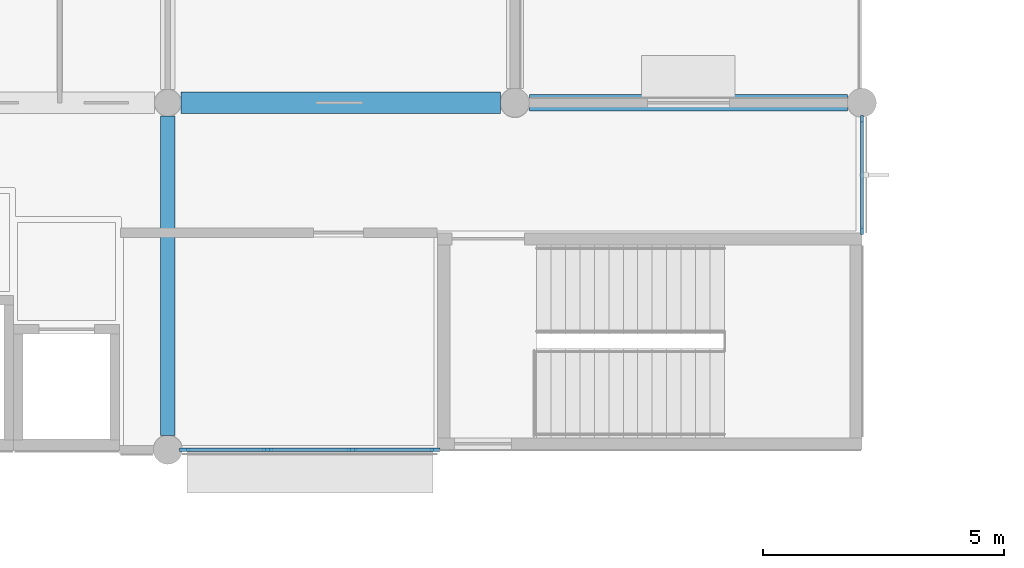
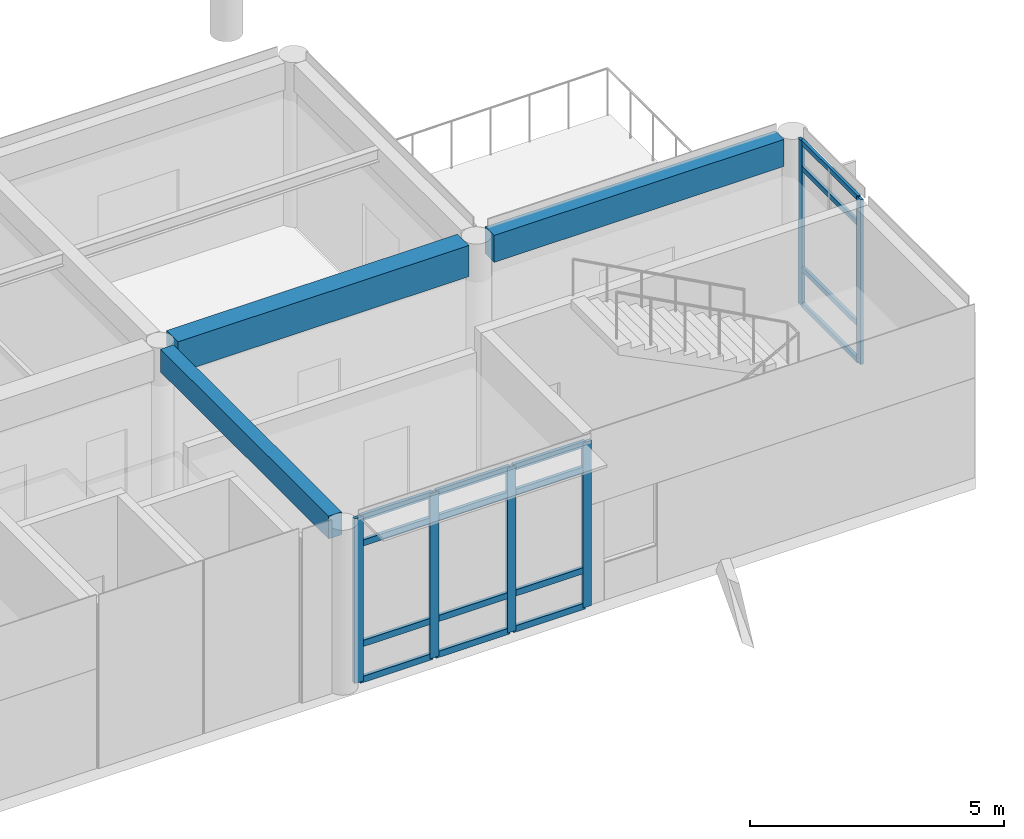
# One storey, part 10 of 37: 22 members, 3 beams, 2 elements without a shape of their own.
"""IFC4 building model written with IfcOpenShell, lengths in metres."""

from ifc_helpers import new_model, si_unit, direction, frame, origin, origin_2d, place, context, subcontext, project, spatial, rectangle, extrude, material, layer, layer_set, material_profile, profile_set, type_object, element, aggregate, save


model = new_model("IFC4")

# Units and contexts
model_context = context("Model", 3, precision=1e-05, world=origin(), true_north=direction((0.0, 1.0)))
body_context = subcontext(model_context, "Body", "Model", "MODEL_VIEW")
ifc_project = project(units=[si_unit("LENGTHUNIT", "METRE"), si_unit("AREAUNIT", "SQUARE_METRE"), si_unit("VOLUMEUNIT", "CUBIC_METRE"), si_unit("PLANEANGLEUNIT", "RADIAN"), si_unit("MASSUNIT", "GRAM", prefix="KILO")], contexts=[model_context])

# Site, building, storey
site_placement = place(None, origin())
site = spatial("IfcSite", under=ifc_project, at=site_placement, CompositionType="ELEMENT")
building_placement = place(site_placement, origin())
building = spatial("IfcBuilding", under=site, at=building_placement, Name="Namkhue Oval Health Centre", CompositionType="ELEMENT")
storey_placement = place(building_placement, frame((0.0, 0.0, 22.199951171875)))
storey = spatial("IfcBuildingStorey", under=building, at=storey_placement, Name="L05", CompositionType="ELEMENT", Elevation=22.199951171875)

# Curtain wall, members
ifc_material_1 = material(Name="Anodised aluminium EN AW-6063 T6", Category="aluminium")
ifc_layer_1 = layer(ifc_material_1, 0.159912109375)
ifc_layer_set_1 = layer_set([ifc_layer_1], Name="Anodised aluminium EN AW-6063 T6")
curtain_wall_type_1 = type_object("IfcCurtainWallType", Name="UNITISED CURTAIN WALL M1800", PredefinedType="NOTDEFINED", material=ifc_layer_set_1)
curtain_wall_1_placement = place(storey_placement, origin())
curtain_wall_1 = element("IfcCurtainWall", 1, at=curtain_wall_1_placement, inside=storey, type_object=curtain_wall_type_1, Name="Volume V3 L05 Unitised Curtain Wall 131", PredefinedType="NOTDEFINED")
ifc_material_profile_1 = material_profile(ifc_material_1, rectangle(XDim=0.06494140625, YDim=0.159912109375, at=origin_2d()), Name="ALU 65x160")
ifc_profile_set_1 = profile_set([ifc_material_profile_1], Name="Anodised aluminium EN AW-6063 T6")
member_type_1 = type_object("IfcMemberType", Name="CURTAIN WALL MULLION 65X160", PredefinedType="MULLION", material=ifc_profile_set_1)
member_1_placement = place(storey_placement, frame((122.39990234375, 94.549560546875, 0.0), z_axis=(0.0, 0.0, 1.0), x_axis=(-1.0, 0.0, 0.0)))
member_1 = element("IfcMember", 2, at=member_1_placement, type_object=member_type_1, Name="CW-05 mullion 1", PredefinedType="MULLION", context=body_context, shape_type="SweptSolid", body=[
    extrude(rectangle(XDim=0.06494140625, YDim=0.159912109375, at=origin_2d()), origin(), (0.0, 0.0, 1.0), 3.969970703125),
])
member_2_placement = place(storey_placement, frame((122.39990234375, 96.857421875, 0.0), z_axis=(0.0, 0.0, 1.0), x_axis=(-1.0, 0.0, 0.0)))
member_2 = element("IfcMember", 3, at=member_2_placement, type_object=member_type_1, Name="CW-05 mullion 2", PredefinedType="MULLION", context=body_context, shape_type="SweptSolid", body=[
    extrude(rectangle(XDim=0.06494140625, YDim=0.159912109375, at=origin_2d()), origin(), (0.0, 0.0, 1.0), 3.969970703125),
])

ifc_layer_2 = layer(ifc_material_1, 0.159912109375)
ifc_layer_set_2 = layer_set([ifc_layer_2], Name="Anodised aluminium EN AW-6063 T6")
curtain_wall_type_2 = type_object("IfcCurtainWallType", Name="UNITISED CURTAIN WALL M1600", PredefinedType="NOTDEFINED", material=ifc_layer_set_2)
curtain_wall_2_placement = place(storey_placement, origin())
curtain_wall_2 = element("IfcCurtainWall", 4, at=curtain_wall_2_placement, inside=storey, type_object=curtain_wall_type_2, Name="Volume V3 L05 Unitised Curtain Wall 130", PredefinedType="NOTDEFINED")
ifc_material_profile_2 = material_profile(ifc_material_1, rectangle(XDim=0.074951171875, YDim=0.199951171875, at=origin_2d()), Name="ALU 75x200")
ifc_profile_set_2 = profile_set([ifc_material_profile_2], Name="Anodised aluminium EN AW-6063 T6")
member_type_2 = type_object("IfcMemberType", Name="CURTAIN WALL MULLION 75X200", PredefinedType="MULLION", material=ifc_profile_set_2)
member_3_placement = place(storey_placement, frame((108.347412109375, 90.0, 0.0), z_axis=(0.0, 0.0, 1.0), x_axis=(0.0, 1.0, 0.0)))
member_3 = element("IfcMember", 5, at=member_3_placement, type_object=member_type_2, Name="CW-04 mullion 1", PredefinedType="MULLION", context=body_context, shape_type="SweptSolid", body=[
    extrude(rectangle(XDim=0.074951171875, YDim=0.199951171875, at=origin_2d()), origin(), (0.0, 0.0, 1.0), 3.969970703125),
])
member_4_placement = place(storey_placement, frame((110.067626953125, 90.0, 0.0), z_axis=(0.0, 0.0, 1.0), x_axis=(0.0, 1.0, 0.0)))
member_4 = element("IfcMember", 6, at=member_4_placement, type_object=member_type_2, Name="CW-04 mullion 2", PredefinedType="MULLION", context=body_context, shape_type="SweptSolid", body=[
    extrude(rectangle(XDim=0.074951171875, YDim=0.199951171875, at=origin_2d()), origin(), (0.0, 0.0, 1.0), 3.969970703125),
])
member_5_placement = place(storey_placement, frame((111.825439453125, 90.0, 0.0), z_axis=(0.0, 0.0, 1.0), x_axis=(0.0, 1.0, 0.0)))
member_5 = element("IfcMember", 7, at=member_5_placement, type_object=member_type_2, Name="CW-04 mullion 3", PredefinedType="MULLION", context=body_context, shape_type="SweptSolid", body=[
    extrude(rectangle(XDim=0.074951171875, YDim=0.199951171875, at=origin_2d()), origin(), (0.0, 0.0, 1.0), 3.969970703125),
])
member_6_placement = place(storey_placement, frame((113.54541015625, 90.0, 0.0), z_axis=(0.0, 0.0, 1.0), x_axis=(0.0, 1.0, 0.0)))
member_6 = element("IfcMember", 8, at=member_6_placement, type_object=member_type_2, Name="CW-04 mullion 4", PredefinedType="MULLION", context=body_context, shape_type="SweptSolid", body=[
    extrude(rectangle(XDim=0.074951171875, YDim=0.199951171875, at=origin_2d()), origin(), (0.0, 0.0, 1.0), 3.969970703125),
])

# Member
ifc_material_profile_3 = material_profile(ifc_material_1, rectangle(XDim=0.06494140625, YDim=0.1201171875, at=origin_2d()), Name="ALU 65x120")
ifc_profile_set_3 = profile_set([ifc_material_profile_3], Name="Anodised aluminium EN AW-6063 T6")
member_type_3 = type_object("IfcMemberType", Name="CURTAIN WALL TRANSOM 65X120", PredefinedType="USERDEFINED", material=ifc_profile_set_3)
member_7_placement = place(storey_placement, frame((122.39990234375, 94.58203125, 0.032470703125), z_axis=(0.0, 1.0, 0.0), x_axis=(-1.0, 0.0, 0.0)))
member_7 = element("IfcMember", 9, at=member_7_placement, type_object=member_type_3, Name="CW-05 transom 1.1", ObjectType="TRANSOM", PredefinedType="USERDEFINED", context=body_context, shape_type="SweptSolid", body=[
    extrude(rectangle(XDim=0.06494140625, YDim=0.1201171875, at=origin_2d()), origin(), (0.0, 0.0, 1.0), 2.242919921875),
])

member_8_placement = place(storey_placement, frame((122.39990234375, 94.58203125, 0.900146484375), z_axis=(0.0, 1.0, 0.0), x_axis=(-1.0, 0.0, 0.0)))
member_8 = element("IfcMember", 10, at=member_8_placement, type_object=member_type_3, Name="CW-05 transom 1.2", ObjectType="TRANSOM", PredefinedType="USERDEFINED", context=body_context, shape_type="SweptSolid", body=[
    extrude(rectangle(XDim=0.06494140625, YDim=0.1201171875, at=origin_2d()), origin(), (0.0, 0.0, 1.0), 2.242919921875),
])

member_9_placement = place(storey_placement, frame((122.39990234375, 94.58203125, 3.320068359375), z_axis=(0.0, 1.0, 0.0), x_axis=(-1.0, 0.0, 0.0)))
member_9 = element("IfcMember", 11, at=member_9_placement, type_object=member_type_3, Name="CW-05 transom 1.3", ObjectType="TRANSOM", PredefinedType="USERDEFINED", context=body_context, shape_type="SweptSolid", body=[
    extrude(rectangle(XDim=0.06494140625, YDim=0.1201171875, at=origin_2d()), origin(), (0.0, 0.0, 1.0), 2.242919921875),
])

member_10_placement = place(storey_placement, frame((122.39990234375, 94.58203125, 3.9375), z_axis=(0.0, 1.0, 0.0), x_axis=(-1.0, 0.0, 0.0)))
member_10 = element("IfcMember", 12, at=member_10_placement, type_object=member_type_3, Name="CW-05 transom 1.4", ObjectType="TRANSOM", PredefinedType="USERDEFINED", context=body_context, shape_type="SweptSolid", body=[
    extrude(rectangle(XDim=0.06494140625, YDim=0.1201171875, at=origin_2d()), origin(), (0.0, 0.0, 1.0), 2.242919921875),
])

aggregate(curtain_wall_1, [member_1, member_2, member_7, member_8, member_9, member_10])

ifc_material_profile_4 = material_profile(ifc_material_1, rectangle(XDim=0.074951171875, YDim=0.14990234375, at=origin_2d()), Name="ALU 75x150")
ifc_profile_set_4 = profile_set([ifc_material_profile_4], Name="Anodised aluminium EN AW-6063 T6")
member_type_4 = type_object("IfcMemberType", Name="CURTAIN WALL TRANSOM 75X150", PredefinedType="USERDEFINED", material=ifc_profile_set_4)
member_11_placement = place(storey_placement, frame((108.385009765625, 90.0, 0.03759765625), z_axis=(1.0, 0.0, 0.0), x_axis=(0.0, 1.0, 0.0)))
member_11 = element("IfcMember", 13, at=member_11_placement, type_object=member_type_4, Name="CW-04 transom 1.1", ObjectType="TRANSOM", PredefinedType="USERDEFINED", context=body_context, shape_type="SweptSolid", body=[
    extrude(rectangle(XDim=0.074951171875, YDim=0.14990234375, at=origin_2d()), origin(), (0.0, 0.0, 1.0), 1.645263671875),
])

member_12_placement = place(storey_placement, frame((108.385009765625, 90.0, 0.900146484375), z_axis=(1.0, 0.0, 0.0), x_axis=(0.0, 1.0, 0.0)))
member_12 = element("IfcMember", 14, at=member_12_placement, type_object=member_type_4, Name="CW-04 transom 1.2", ObjectType="TRANSOM", PredefinedType="USERDEFINED", context=body_context, shape_type="SweptSolid", body=[
    extrude(rectangle(XDim=0.074951171875, YDim=0.14990234375, at=origin_2d()), origin(), (0.0, 0.0, 1.0), 1.645263671875),
])

member_13_placement = place(storey_placement, frame((108.385009765625, 90.0, 3.320068359375), z_axis=(1.0, 0.0, 0.0), x_axis=(0.0, 1.0, 0.0)))
member_13 = element("IfcMember", 15, at=member_13_placement, type_object=member_type_4, Name="CW-04 transom 1.3", ObjectType="TRANSOM", PredefinedType="USERDEFINED", context=body_context, shape_type="SweptSolid", body=[
    extrude(rectangle(XDim=0.074951171875, YDim=0.14990234375, at=origin_2d()), origin(), (0.0, 0.0, 1.0), 1.645263671875),
])

member_14_placement = place(storey_placement, frame((108.385009765625, 90.0, 3.9326171875), z_axis=(1.0, 0.0, 0.0), x_axis=(0.0, 1.0, 0.0)))
member_14 = element("IfcMember", 16, at=member_14_placement, type_object=member_type_4, Name="CW-04 transom 1.4", ObjectType="TRANSOM", PredefinedType="USERDEFINED", context=body_context, shape_type="SweptSolid", body=[
    extrude(rectangle(XDim=0.074951171875, YDim=0.14990234375, at=origin_2d()), origin(), (0.0, 0.0, 1.0), 1.645263671875),
])

member_15_placement = place(storey_placement, frame((110.105224609375, 90.0, 0.03759765625), z_axis=(1.0, 0.0, 0.0), x_axis=(0.0, 1.0, 0.0)))
member_15 = element("IfcMember", 17, at=member_15_placement, type_object=member_type_4, Name="CW-04 transom 2.1", ObjectType="TRANSOM", PredefinedType="USERDEFINED", context=body_context, shape_type="SweptSolid", body=[
    extrude(rectangle(XDim=0.074951171875, YDim=0.14990234375, at=origin_2d()), origin(), (0.0, 0.0, 1.0), 1.6826171875),
])

member_16_placement = place(storey_placement, frame((110.105224609375, 90.0, 0.900146484375), z_axis=(1.0, 0.0, 0.0), x_axis=(0.0, 1.0, 0.0)))
member_16 = element("IfcMember", 18, at=member_16_placement, type_object=member_type_4, Name="CW-04 transom 2.2", ObjectType="TRANSOM", PredefinedType="USERDEFINED", context=body_context, shape_type="SweptSolid", body=[
    extrude(rectangle(XDim=0.074951171875, YDim=0.14990234375, at=origin_2d()), origin(), (0.0, 0.0, 1.0), 1.6826171875),
])

member_17_placement = place(storey_placement, frame((110.105224609375, 90.0, 3.320068359375), z_axis=(1.0, 0.0, 0.0), x_axis=(0.0, 1.0, 0.0)))
member_17 = element("IfcMember", 19, at=member_17_placement, type_object=member_type_4, Name="CW-04 transom 2.3", ObjectType="TRANSOM", PredefinedType="USERDEFINED", context=body_context, shape_type="SweptSolid", body=[
    extrude(rectangle(XDim=0.074951171875, YDim=0.14990234375, at=origin_2d()), origin(), (0.0, 0.0, 1.0), 1.6826171875),
])

member_18_placement = place(storey_placement, frame((110.105224609375, 90.0, 3.9326171875), z_axis=(1.0, 0.0, 0.0), x_axis=(0.0, 1.0, 0.0)))
member_18 = element("IfcMember", 20, at=member_18_placement, type_object=member_type_4, Name="CW-04 transom 2.4", ObjectType="TRANSOM", PredefinedType="USERDEFINED", context=body_context, shape_type="SweptSolid", body=[
    extrude(rectangle(XDim=0.074951171875, YDim=0.14990234375, at=origin_2d()), origin(), (0.0, 0.0, 1.0), 1.6826171875),
])

member_19_placement = place(storey_placement, frame((111.86279296875, 90.0, 0.03759765625), z_axis=(1.0, 0.0, 0.0), x_axis=(0.0, 1.0, 0.0)))
member_19 = element("IfcMember", 21, at=member_19_placement, type_object=member_type_4, Name="CW-04 transom 3.1", ObjectType="TRANSOM", PredefinedType="USERDEFINED", context=body_context, shape_type="SweptSolid", body=[
    extrude(rectangle(XDim=0.074951171875, YDim=0.14990234375, at=origin_2d()), origin(), (0.0, 0.0, 1.0), 1.645263671875),
])

member_20_placement = place(storey_placement, frame((111.86279296875, 90.0, 0.900146484375), z_axis=(1.0, 0.0, 0.0), x_axis=(0.0, 1.0, 0.0)))
member_20 = element("IfcMember", 22, at=member_20_placement, type_object=member_type_4, Name="CW-04 transom 3.2", ObjectType="TRANSOM", PredefinedType="USERDEFINED", context=body_context, shape_type="SweptSolid", body=[
    extrude(rectangle(XDim=0.074951171875, YDim=0.14990234375, at=origin_2d()), origin(), (0.0, 0.0, 1.0), 1.645263671875),
])

member_21_placement = place(storey_placement, frame((111.86279296875, 90.0, 3.320068359375), z_axis=(1.0, 0.0, 0.0), x_axis=(0.0, 1.0, 0.0)))
member_21 = element("IfcMember", 23, at=member_21_placement, type_object=member_type_4, Name="CW-04 transom 3.3", ObjectType="TRANSOM", PredefinedType="USERDEFINED", context=body_context, shape_type="SweptSolid", body=[
    extrude(rectangle(XDim=0.074951171875, YDim=0.14990234375, at=origin_2d()), origin(), (0.0, 0.0, 1.0), 1.645263671875),
])

member_22_placement = place(storey_placement, frame((111.86279296875, 90.0, 3.9326171875), z_axis=(1.0, 0.0, 0.0), x_axis=(0.0, 1.0, 0.0)))
member_22 = element("IfcMember", 24, at=member_22_placement, type_object=member_type_4, Name="CW-04 transom 3.4", ObjectType="TRANSOM", PredefinedType="USERDEFINED", context=body_context, shape_type="SweptSolid", body=[
    extrude(rectangle(XDim=0.074951171875, YDim=0.14990234375, at=origin_2d()), origin(), (0.0, 0.0, 1.0), 1.645263671875),
])

aggregate(curtain_wall_2, [member_3, member_4, member_5, member_6, member_11, member_12, member_13, member_14, member_15, member_16, member_17, member_18, member_19, member_20, member_21, member_22])

# Beams
ifc_material_2 = material(Name="Reinforced concrete C30/37 (TCVN B35)", Category="concrete")
ifc_material_profile_5 = material_profile(ifc_material_2, rectangle(XDim=0.300048828125, YDim=0.550048828125, at=origin_2d()), Name="RC 300x550")
ifc_profile_set_5 = profile_set([ifc_material_profile_5], Name="Reinforced concrete C30/37 (TCVN B35)")
beam_type_1 = type_object("IfcBeamType", Name="FLOOR BEAM RC 300X550", PredefinedType="BEAM", material=ifc_profile_set_5)
beam_1_placement = place(storey_placement, frame((108.0, 90.300048828125, 3.695068359375), z_axis=(0.0, 1.0, 0.0), x_axis=(-1.0, 0.0, 0.0)))
element("IfcBeam", 25, at=beam_1_placement, inside=storey, type_object=beam_type_1, Name="Volume V3 RF Beam 16/N-O", PredefinedType="BEAM", context=body_context, shape_type="SweptSolid", body=[
    extrude(rectangle(XDim=0.300048828125, YDim=0.550048828125, at=origin_2d()), origin(), (0.0, 0.0, 1.0), 6.625),
])
ifc_material_3 = material(Name="Reinforced concrete C35/45 (TCVN B40)", Category="concrete")
ifc_material_profile_6 = material_profile(ifc_material_3, rectangle(XDim=0.35009765625, YDim=0.64990234375, at=origin_2d()), Name="RC 350x650")
ifc_profile_set_6 = profile_set([ifc_material_profile_6], Name="Reinforced concrete C35/45 (TCVN B40)")
beam_type_2 = type_object("IfcBeamType", Name="PERIMETER SPANDREL BEAM 350X650", PredefinedType="SPANDREL", material=ifc_profile_set_6)
beam_2_placement = place(storey_placement, frame((115.5, 97.199951171875, 3.64501953125), z_axis=(1.0, 0.0, 0.0), x_axis=(0.0, 1.0, 0.0)))
element("IfcBeam", 26, at=beam_2_placement, inside=storey, type_object=beam_type_2, Name="Volume V3 RF Girder O/17-18", PredefinedType="SPANDREL", context=body_context, shape_type="SweptSolid", body=[
    extrude(rectangle(XDim=0.35009765625, YDim=0.64990234375, at=origin_2d()), origin(), (0.0, 0.0, 1.0), 6.60009765625),
])
ifc_material_profile_7 = material_profile(ifc_material_3, rectangle(XDim=0.449951171875, YDim=0.75, at=origin_2d()), Name="RC 450x750")
ifc_profile_set_7 = profile_set([ifc_material_profile_7], Name="Reinforced concrete C35/45 (TCVN B40)")
beam_type_3 = type_object("IfcBeamType", Name="PRIMARY GIRDER RC 450X750", PredefinedType="USERDEFINED", material=ifc_profile_set_7)
beam_3_placement = place(storey_placement, frame((108.27490234375, 97.199951171875, 3.594970703125), z_axis=(1.0, 0.0, 0.0), x_axis=(0.0, 1.0, 0.0)))
element("IfcBeam", 27, at=beam_3_placement, inside=storey, type_object=beam_type_3, Name="Volume V3 RF Girder O/16-17", ObjectType="GIRDER", PredefinedType="USERDEFINED", context=body_context, shape_type="SweptSolid", body=[
    extrude(rectangle(XDim=0.449951171875, YDim=0.75, at=origin_2d()), origin(), (0.0, 0.0, 1.0), 6.625),
])

save(model, "model.ifc")
